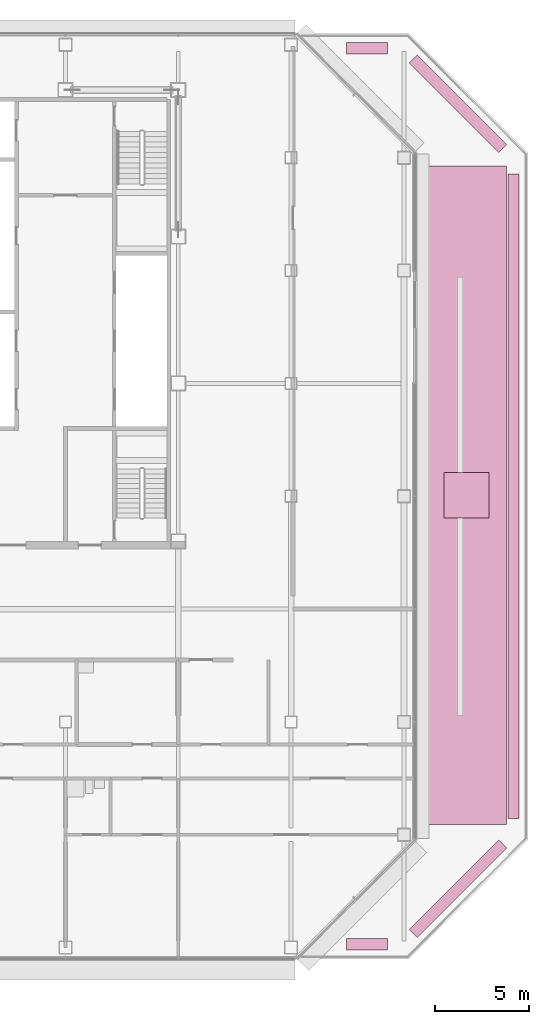
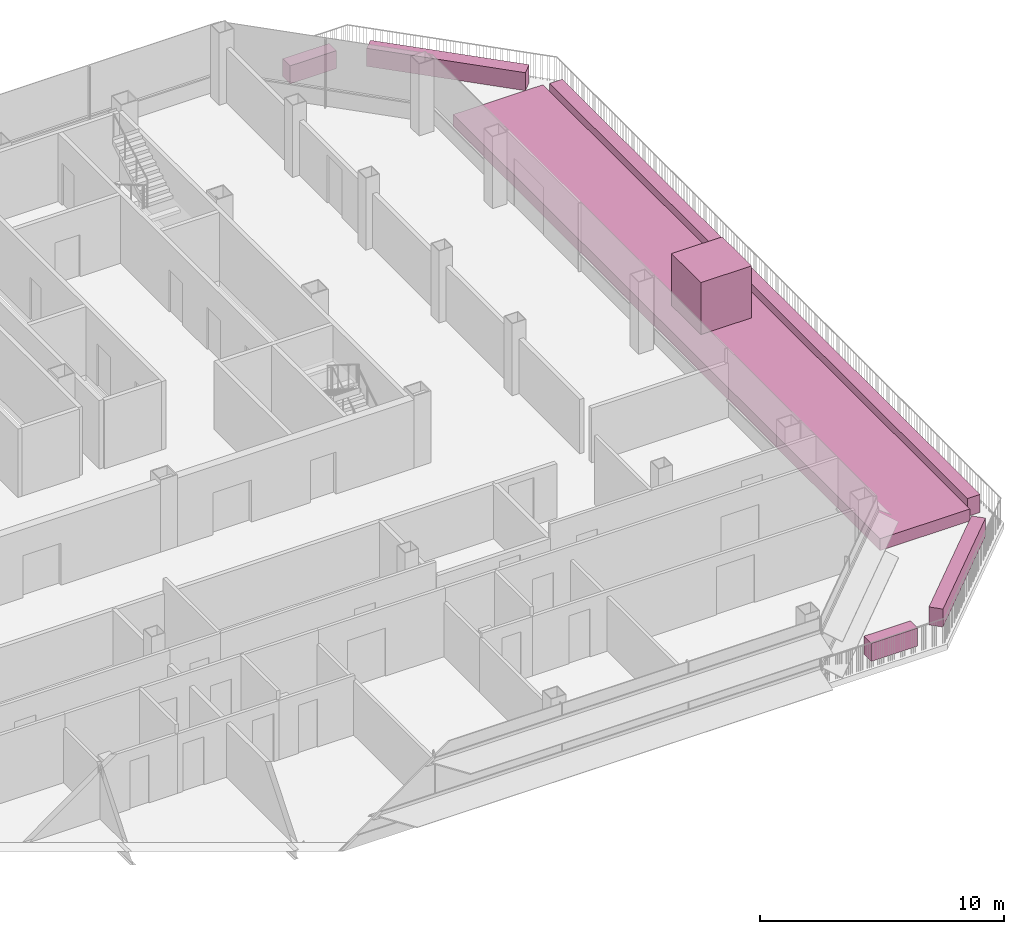
# One storey, part 27 of 27: 7 furniture elements.
"""IFC4 building model written with IfcOpenShell, lengths in metres."""

from ifc_helpers import new_model, si_unit, direction, frame, origin, origin_2d, place, context, subcontext, project, spatial, rectangle, extrude, material, type_object, element, save


model = new_model("IFC4")

# Units and contexts
model_context = context("Model", 3, precision=1e-05, world=origin(), true_north=direction((0.0, 1.0)))
body_context = subcontext(model_context, "Body", "Model", "MODEL_VIEW")
ifc_project = project(units=[si_unit("LENGTHUNIT", "METRE"), si_unit("AREAUNIT", "SQUARE_METRE"), si_unit("VOLUMEUNIT", "CUBIC_METRE"), si_unit("PLANEANGLEUNIT", "RADIAN"), si_unit("MASSUNIT", "GRAM", prefix="KILO")], contexts=[model_context])

# Site, building, storey
site_placement = place(None, origin())
site = spatial("IfcSite", under=ifc_project, at=site_placement, CompositionType="ELEMENT")
building_placement = place(site_placement, origin())
building = spatial("IfcBuilding", under=site, at=building_placement, Name="Sorahane Residences", CompositionType="ELEMENT")
storey_placement = place(building_placement, frame((0.0, 0.0, 192.0)))
storey = spatial("IfcBuildingStorey", under=building, at=storey_placement, Name="L44", CompositionType="ELEMENT", Elevation=192.0)

# Furniture
ifc_material_1 = material(Name="Planting soil with shrubs in a steel-framed bed", Category="steel")
furniture_type_1 = type_object("IfcFurnitureType", Name="PLANTER bed black steel frame with soil 4250x35000", AssemblyPlace="NOTDEFINED", PredefinedType="NOTDEFINED", material=ifc_material_1)
furniture_1_placement = place(storey_placement, frame((57.324951171875, 24.050048828125, 0.0), z_axis=(0.0, 0.0, 1.0), x_axis=(1.0, 0.0, 0.0)))
element("IfcFurniture", 1, at=furniture_1_placement, inside=storey, type_object=furniture_type_1, Name="PLANTER bed L43.1.1", PredefinedType="NOTDEFINED", context=body_context, shape_type="SweptSolid", body=[
    extrude(rectangle(XDim=4.25, YDim=35.0, at=origin_2d()), origin(), (0.0, 0.0, 1.0), 0.60009765625),
])
ifc_material_2 = material(Name="Planting soil with hedge in a steel-framed trough", Category="steel")
furniture_type_2 = type_object("IfcFurnitureType", Name="PLANTER hedge strip black steel frame with soil", AssemblyPlace="NOTDEFINED", PredefinedType="NOTDEFINED", material=ifc_material_2)
furniture_2_placement = place(storey_placement, frame((52.028564453125, 47.820068359375, 0.0), z_axis=(0.0, 0.0, 1.0), x_axis=(1.0, 0.0, 0.0)))
element("IfcFurniture", 2, at=furniture_2_placement, inside=storey, type_object=furniture_type_2, Name="PLANTER hedge L43.1.1", PredefinedType="NOTDEFINED", context=body_context, shape_type="SweptSolid", body=[
    extrude(rectangle(XDim=2.19384765625, YDim=0.60009765625, at=origin_2d()), origin(), (0.0, 0.0, 1.0), 0.89990234375),
])
furniture_3_placement = place(storey_placement, frame((56.872802734375, 44.872802734375, 0.0), z_axis=(0.0, 0.0, 1.0), x_axis=(0.707106781187, -0.707106781187, 0.0)))
element("IfcFurniture", 3, at=furniture_3_placement, inside=storey, type_object=furniture_type_2, Name="PLANTER hedge L43.1.2", PredefinedType="NOTDEFINED", context=body_context, shape_type="SweptSolid", body=[
    extrude(rectangle(XDim=6.736083984375, YDim=0.60009765625, at=origin_2d()), origin(), (0.0, 0.0, 1.0), 0.89990234375),
])
furniture_4_placement = place(storey_placement, frame((59.820068359375, 24.0, 0.0), z_axis=(0.0, 0.0, 1.0), x_axis=(0.0, -1.0, 0.0)))
element("IfcFurniture", 4, at=furniture_4_placement, inside=storey, type_object=furniture_type_2, Name="PLANTER hedge L43.1.3", PredefinedType="NOTDEFINED", context=body_context, shape_type="SweptSolid", body=[
    extrude(rectangle(XDim=34.2509765625, YDim=0.60009765625, at=origin_2d()), origin(), (0.0, 0.0, 1.0), 0.89990234375),
])
furniture_5_placement = place(storey_placement, frame((56.872802734375, 3.127197265625, 0.0), z_axis=(0.0, 0.0, 1.0), x_axis=(-0.707106781187, -0.707106781187, 0.0)))
element("IfcFurniture", 5, at=furniture_5_placement, inside=storey, type_object=furniture_type_2, Name="PLANTER hedge L43.1.4", PredefinedType="NOTDEFINED", context=body_context, shape_type="SweptSolid", body=[
    extrude(rectangle(XDim=6.736083984375, YDim=0.60009765625, at=origin_2d()), origin(), (0.0, 0.0, 1.0), 0.89990234375),
])
furniture_6_placement = place(storey_placement, frame((52.028564453125, 0.179931640625, 0.0), z_axis=(0.0, 0.0, 1.0), x_axis=(-1.0, 0.0, 0.0)))
element("IfcFurniture", 6, at=furniture_6_placement, inside=storey, type_object=furniture_type_2, Name="PLANTER hedge L43.1.5", PredefinedType="NOTDEFINED", context=body_context, shape_type="SweptSolid", body=[
    extrude(rectangle(XDim=2.19384765625, YDim=0.60009765625, at=origin_2d()), origin(), (0.0, 0.0, 1.0), 0.89990234375),
])
ifc_material_3 = material(Name="Green foliage shrub planting")
furniture_type_3 = type_object("IfcFurnitureType", Name="PLANTER shrub planting green foliage", AssemblyPlace="NOTDEFINED", PredefinedType="NOTDEFINED", material=ifc_material_3)
furniture_7_placement = place(storey_placement, frame((57.324951171875, 24.050048828125, 0.599853515625), z_axis=(0.0, 0.0, 1.0), x_axis=(1.0, 0.0, 0.0)))
element("IfcFurniture", 7, at=furniture_7_placement, inside=storey, type_object=furniture_type_3, Name="PLANTER shrub L43.1.1", PredefinedType="NOTDEFINED", context=body_context, shape_type="SweptSolid", body=[
    extrude(rectangle(XDim=2.39990234375, YDim=2.39990234375, at=origin_2d()), origin(), (0.0, 0.0, 1.0), 2.60009765625),
])

save(model, "model.ifc")
